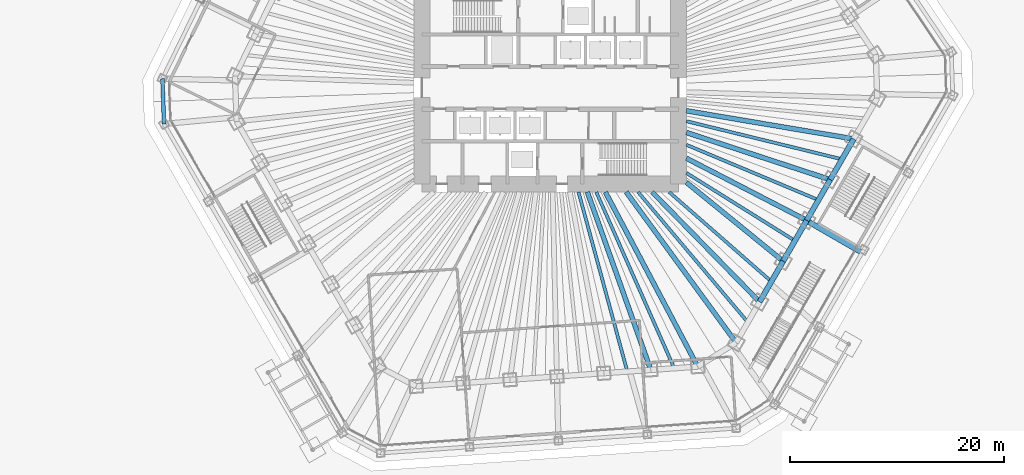
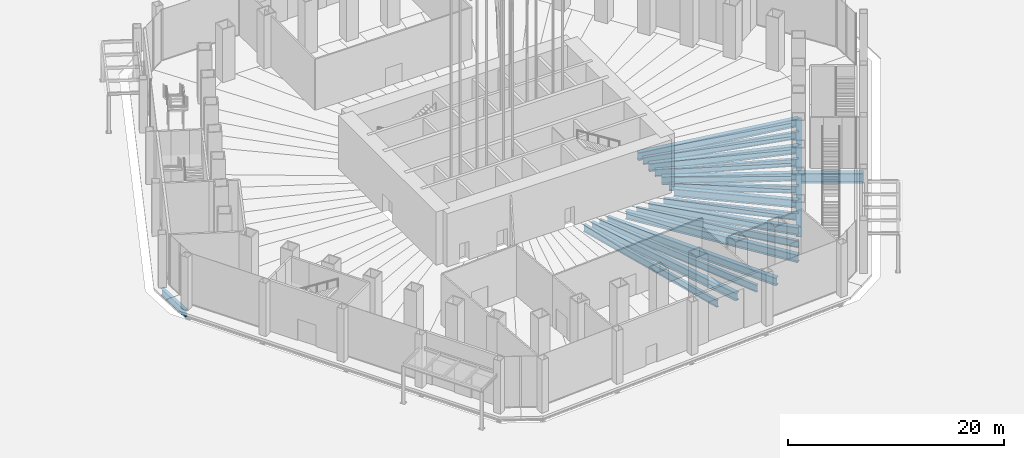
# One storey, part 16 of 45: 21 beams.
"""IFC4 building model written with IfcOpenShell, lengths in metres."""

from ifc_helpers import new_model, si_unit, direction, frame, origin, origin_2d, place, context, subcontext, project, spatial, i_section, extrude, material, material_profile, profile_set, type_object, element, save


model = new_model("IFC4")

# Units and contexts
model_context = context("Model", 3, precision=1e-05, world=origin(), true_north=direction((0.0, 1.0)))
body_context = subcontext(model_context, "Body", "Model", "MODEL_VIEW")
ifc_project = project(units=[si_unit("LENGTHUNIT", "METRE"), si_unit("AREAUNIT", "SQUARE_METRE"), si_unit("VOLUMEUNIT", "CUBIC_METRE"), si_unit("PLANEANGLEUNIT", "RADIAN"), si_unit("MASSUNIT", "GRAM", prefix="KILO")], contexts=[model_context])

# Site, building, storey
site_placement = place(None, origin())
site = spatial("IfcSite", under=ifc_project, at=site_placement, CompositionType="ELEMENT")
building_placement = place(site_placement, origin())
building = spatial("IfcBuilding", under=site, at=building_placement, Name="Qingtian Harvest Tower", CompositionType="ELEMENT")
storey_placement = place(building_placement, origin())
storey = spatial("IfcBuildingStorey", under=building, at=storey_placement, Name="L00", CompositionType="ELEMENT", Elevation=0.0)

# Beams
ifc_material_1 = material(Name="Steel SM570MC", Category="steel")
ifc_material_profile_1 = material_profile(ifc_material_1, i_section(OverallWidth=0.449951171875, OverallDepth=0.89990234375, WebThickness=0.02197265625, FlangeThickness=0.044921875, at=origin_2d()), Name="H900x450x22x45")
ifc_profile_set_1 = profile_set([ifc_material_profile_1], Name="Steel SM570MC")
beam_type_1 = type_object("IfcBeamType", Name="Floor beam FB5 H900x450x22x45", PredefinedType="BEAM", material=ifc_profile_set_1)
beam_1_placement = place(storey_placement, frame((28.416015625, -4.78173828125, -0.699951171875), z_axis=(-0.986135195489, 0.16594389479, 0.0), x_axis=(-0.16594389479, -0.986135195489, 0.0)))
element("IfcBeam", 1, at=beam_1_placement, inside=storey, type_object=beam_type_1, Name="Floor beam FB5 SE1", PredefinedType="BEAM", context=body_context, shape_type="SweptSolid", body=[
    extrude(i_section(OverallWidth=0.449951171875, OverallDepth=0.89990234375, WebThickness=0.02197265625, FlangeThickness=0.044921875, at=origin_2d()), origin(), (0.0, 0.0, 1.0), 15.88623046875),
])
beam_2_placement = place(storey_placement, frame((26.2138671875, -8.596435546875, -0.699951171875), z_axis=(-0.950210724421, 0.311608053803, 0.0), x_axis=(-0.311608053803, -0.950210724421, 0.0)))
element("IfcBeam", 2, at=beam_2_placement, inside=storey, type_object=beam_type_1, Name="Floor beam FB5 SE2", PredefinedType="BEAM", context=body_context, shape_type="SweptSolid", body=[
    extrude(i_section(OverallWidth=0.449951171875, OverallDepth=0.89990234375, WebThickness=0.02197265625, FlangeThickness=0.044921875, at=origin_2d()), origin(), (0.0, 0.0, 1.0), 14.16943359375),
])
beam_3_placement = place(storey_placement, frame((24.011474609375, -12.410888671875, -0.699951171875), z_axis=(-0.888349581519, 0.45916774823, 0.0), x_axis=(-0.45916774823, -0.888349581519, 0.0)))
element("IfcBeam", 3, at=beam_3_placement, inside=storey, type_object=beam_type_1, Name="Floor beam FB5 SE3", PredefinedType="BEAM", context=body_context, shape_type="SweptSolid", body=[
    extrude(i_section(OverallWidth=0.449951171875, OverallDepth=0.89990234375, WebThickness=0.02197265625, FlangeThickness=0.044921875, at=origin_2d()), origin(), (0.0, 0.0, 1.0), 12.6767578125),
])
beam_4_placement = place(storey_placement, frame((21.809326171875, -16.225341796875, -0.699951171875), z_axis=(-0.775504415669, 0.631342142802, 0.0), x_axis=(-0.631342142802, -0.775504415669, 0.0)))
element("IfcBeam", 4, at=beam_4_placement, inside=storey, type_object=beam_type_1, Name="Floor beam FB5 SE4", PredefinedType="BEAM", context=body_context, shape_type="SweptSolid", body=[
    extrude(i_section(OverallWidth=0.449951171875, OverallDepth=0.89990234375, WebThickness=0.02197265625, FlangeThickness=0.044921875, at=origin_2d()), origin(), (0.0, 0.0, 1.0), 11.681884765625),
])
beam_5_placement = place(storey_placement, frame((19.60693359375, -20.039794921875, -0.699951171875), z_axis=(-0.699348221539, 0.714781130858, 0.0), x_axis=(-0.714781130858, -0.699348221539, 0.0)))
element("IfcBeam", 5, at=beam_5_placement, inside=storey, type_object=beam_type_1, Name="Floor beam FB5 SE5", PredefinedType="BEAM", context=body_context, shape_type="SweptSolid", body=[
    extrude(i_section(OverallWidth=0.449951171875, OverallDepth=0.89990234375, WebThickness=0.02197265625, FlangeThickness=0.044921875, at=origin_2d()), origin(), (0.0, 0.0, 1.0), 14.395751953125),
])
beam_6_placement = place(storey_placement, frame((17.404541015625, -23.854248046875, -0.699951171875), z_axis=(-0.58941234871, 0.807832336062, 0.0), x_axis=(-0.807832336062, -0.58941234871, 0.0)))
element("IfcBeam", 6, at=beam_6_placement, inside=storey, type_object=beam_type_1, Name="Floor beam FB5 SE6", PredefinedType="BEAM", context=body_context, shape_type="SweptSolid", body=[
    extrude(i_section(OverallWidth=0.449951171875, OverallDepth=0.89990234375, WebThickness=0.02197265625, FlangeThickness=0.044921875, at=origin_2d()), origin(), (0.0, 0.0, 1.0), 17.45947265625),
])
beam_7_placement = place(storey_placement, frame((13.810546875, -26.10009765625, -0.699951171875), z_axis=(-0.467705182679, 0.883884529843, 0.0), x_axis=(-0.883884529843, -0.467705182679, 0.0)))
element("IfcBeam", 7, at=beam_7_placement, inside=storey, type_object=beam_type_1, Name="Floor beam FB5 S0", PredefinedType="BEAM", context=body_context, shape_type="SweptSolid", body=[
    extrude(i_section(OverallWidth=0.449951171875, OverallDepth=0.89990234375, WebThickness=0.02197265625, FlangeThickness=0.044921875, at=origin_2d()), origin(), (0.0, 0.0, 1.0), 18.498046875),
])
beam_8_placement = place(storey_placement, frame((9.41650390625, -26.407470703125, -0.699951171875), z_axis=(-0.33586498155, 0.941910141239, 0.0), x_axis=(-0.941910141239, -0.33586498155, 0.0)))
element("IfcBeam", 8, at=beam_8_placement, inside=storey, type_object=beam_type_1, Name="Floor beam FB5 S1", PredefinedType="BEAM", context=body_context, shape_type="SweptSolid", body=[
    extrude(i_section(OverallWidth=0.449951171875, OverallDepth=0.89990234375, WebThickness=0.02197265625, FlangeThickness=0.044921875, at=origin_2d()), origin(), (0.0, 0.0, 1.0), 17.684814453125),
])
ifc_material_2 = material(Name="Steel SM570MC", Category="steel")
ifc_material_profile_2 = material_profile(ifc_material_2, i_section(OverallWidth=0.5, OverallDepth=1.10009765625, WebThickness=0.02490234375, FlangeThickness=0.050048828125, at=origin_2d()), Name="H1100x500x25x50")
ifc_profile_set_2 = profile_set([ifc_material_profile_2], Name="Steel SM570MC")
beam_type_2 = type_object("IfcBeamType", Name="Floor beam FB6 H1100x500x25x50", PredefinedType="BEAM", material=ifc_profile_set_2)
beam_9_placement = place(storey_placement, frame((29.197509765625, -15.4287109375, -0.800048828125), z_axis=(-0.866031096941, 0.499990139034, 0.0), x_axis=(-0.499990139034, -0.866031096941, 0.0)))
element("IfcBeam", 9, at=beam_9_placement, inside=storey, type_object=beam_type_2, Name="Podium floor beam FB6 SE2", PredefinedType="BEAM", context=body_context, shape_type="SweptSolid", body=[
    extrude(i_section(OverallWidth=0.5, OverallDepth=1.10009765625, WebThickness=0.02490234375, FlangeThickness=0.050048828125, at=origin_2d()), origin(), (0.0, 0.0, 1.0), 6.0),
])
ifc_material_3 = material(Name="Steel SN490B", Category="steel")
ifc_material_profile_3 = material_profile(ifc_material_3, i_section(OverallWidth=0.300048828125, OverallDepth=0.800048828125, WebThickness=0.013916015625, FlangeThickness=0.02587890625, at=origin_2d()), Name="H800x300x14x26")
ifc_profile_set_3 = profile_set([ifc_material_profile_3], Name="Steel SN490B")
beam_type_3 = type_object("IfcBeamType", Name="Floor joist J1 H800x300x14x26", PredefinedType="JOIST", material=ifc_profile_set_3)
beam_10_placement = place(storey_placement, frame((27.31494140625, -6.68896484375, -0.64990234375), z_axis=(-0.971301533706, 0.237851488583, 0.0), x_axis=(-0.237851488583, -0.971301533706, 0.0)))
element("IfcBeam", 10, at=beam_10_placement, inside=storey, type_object=beam_type_3, Name="Floor joist J1 SE1", PredefinedType="JOIST", context=body_context, shape_type="SweptSolid", body=[
    extrude(i_section(OverallWidth=0.300048828125, OverallDepth=0.800048828125, WebThickness=0.013916015625, FlangeThickness=0.02587890625, at=origin_2d()), origin(), (0.0, 0.0, 1.0), 14.995361328125),
])
beam_11_placement = place(storey_placement, frame((25.112548828125, -10.503662109375, -0.64990234375), z_axis=(-0.922550516103, 0.385876334125, 0.0), x_axis=(-0.385876334125, -0.922550516103, 0.0)))
element("IfcBeam", 11, at=beam_11_placement, inside=storey, type_object=beam_type_3, Name="Floor joist J1 SE2", PredefinedType="JOIST", context=body_context, shape_type="SweptSolid", body=[
    extrude(i_section(OverallWidth=0.300048828125, OverallDepth=0.800048828125, WebThickness=0.013916015625, FlangeThickness=0.02587890625, at=origin_2d()), origin(), (0.0, 0.0, 1.0), 13.400390625),
])
beam_12_placement = place(storey_placement, frame((22.910400390625, -14.318115234375, -0.64990234375), z_axis=(-0.848013185461, 0.52997512893, 0.0), x_axis=(-0.52997512893, -0.848013185461, 0.0)))
element("IfcBeam", 12, at=beam_12_placement, inside=storey, type_object=beam_type_3, Name="Floor joist J1 SE3", PredefinedType="JOIST", context=body_context, shape_type="SweptSolid", body=[
    extrude(i_section(OverallWidth=0.300048828125, OverallDepth=0.800048828125, WebThickness=0.013916015625, FlangeThickness=0.02587890625, at=origin_2d()), origin(), (0.0, 0.0, 1.0), 11.9814453125),
])
beam_13_placement = place(storey_placement, frame((20.7080078125, -18.132568359375, -0.64990234375), z_axis=(-0.75234369212, 0.658770801514, 0.0), x_axis=(-0.658770801514, -0.75234369212, 0.0)))
element("IfcBeam", 13, at=beam_13_placement, inside=storey, type_object=beam_type_3, Name="Floor joist J1 SE4", PredefinedType="JOIST", context=body_context, shape_type="SweptSolid", body=[
    extrude(i_section(OverallWidth=0.300048828125, OverallDepth=0.800048828125, WebThickness=0.013916015625, FlangeThickness=0.02587890625, at=origin_2d()), origin(), (0.0, 0.0, 1.0), 12.724609375),
])
beam_14_placement = place(storey_placement, frame((18.505859375, -21.947021484375, -0.64990234375), z_axis=(-0.644630398038, 0.76449437534, 0.0), x_axis=(-0.76449437534, -0.644630398038, 0.0)))
element("IfcBeam", 14, at=beam_14_placement, inside=storey, type_object=beam_type_3, Name="Floor joist J1 SE5", PredefinedType="JOIST", context=body_context, shape_type="SweptSolid", body=[
    extrude(i_section(OverallWidth=0.300048828125, OverallDepth=0.800048828125, WebThickness=0.013916015625, FlangeThickness=0.02587890625, at=origin_2d()), origin(), (0.0, 0.0, 1.0), 15.954345703125),
])
beam_15_placement = place(storey_placement, frame((11.613525390625, -26.25390625, -0.64990234375), z_axis=(-0.404539958959, 0.914520323233, 0.0), x_axis=(-0.914520323233, -0.404539958959, 0.0)))
element("IfcBeam", 15, at=beam_15_placement, inside=storey, type_object=beam_type_3, Name="Floor joist J1 S0", PredefinedType="JOIST", context=body_context, shape_type="SweptSolid", body=[
    extrude(i_section(OverallWidth=0.300048828125, OverallDepth=0.800048828125, WebThickness=0.013916015625, FlangeThickness=0.02587890625, at=origin_2d()), origin(), (0.0, 0.0, 1.0), 18.046630859375),
])
beam_16_placement = place(storey_placement, frame((7.2197265625, -26.56103515625, -0.64990234375), z_axis=(-0.262302659247, 0.964985655309, 0.0), x_axis=(-0.964985655309, -0.262302659247, 0.0)))
element("IfcBeam", 16, at=beam_16_placement, inside=storey, type_object=beam_type_3, Name="Floor joist J1 S1", PredefinedType="JOIST", context=body_context, shape_type="SweptSolid", body=[
    extrude(i_section(OverallWidth=0.300048828125, OverallDepth=0.800048828125, WebThickness=0.013916015625, FlangeThickness=0.02587890625, at=origin_2d()), origin(), (0.0, 0.0, 1.0), 17.421142578125),
])
ifc_material_4 = material(Name="Steel SN490B", Category="steel")
ifc_material_profile_4 = material_profile(ifc_material_4, i_section(OverallWidth=0.35009765625, OverallDepth=0.800048828125, WebThickness=0.01611328125, FlangeThickness=0.028076171875, at=origin_2d()), Name="H800x350x16x28")
ifc_profile_set_4 = profile_set([ifc_material_profile_4], Name="Steel SN490B")
beam_type_4 = type_object("IfcBeamType", Name="Podium beam PB1 H800x350x16x28", PredefinedType="BEAM", material=ifc_profile_set_4)
beam_17_placement = place(storey_placement, frame((-36.152099609375, -3.3828125, -0.64990234375), z_axis=(-0.034908677553, 0.999390506375, 0.0), x_axis=(-0.999390506375, -0.034908677553, 0.0)))
element("IfcBeam", 17, at=beam_17_placement, inside=storey, type_object=beam_type_4, Name="Podium edge beam PB1 SW4", PredefinedType="BEAM", context=body_context, shape_type="SweptSolid", body=[
    extrude(i_section(OverallWidth=0.35009765625, OverallDepth=0.800048828125, WebThickness=0.01611328125, FlangeThickness=0.028076171875, at=origin_2d()), origin(), (0.0, 0.0, 1.0), 4.23828125),
])
ifc_material_5 = material(Name="Steel SM570MC", Category="steel")
ifc_material_profile_5 = material_profile(ifc_material_5, i_section(OverallWidth=0.5, OverallDepth=1.199951171875, WebThickness=0.02490234375, FlangeThickness=0.050048828125, at=origin_2d()), Name="H1200x500x25x50")
ifc_profile_set_5 = profile_set([ifc_material_profile_5], Name="Steel SM570MC")
beam_type_5 = type_object("IfcBeamType", Name="Spandrel beam SB1 H1200x500x25x50", PredefinedType="SPANDREL", material=ifc_profile_set_5)
beam_18_placement = place(storey_placement, frame((28.416015625, -4.78173828125, -0.85009765625), z_axis=(-0.499954356739, -0.86605175433, 0.0), x_axis=(0.86605175433, -0.499954356739, 0.0)))
element("IfcBeam", 18, at=beam_18_placement, inside=storey, type_object=beam_type_5, Name="Spandrel SB1 SE1", PredefinedType="SPANDREL", context=body_context, shape_type="SweptSolid", body=[
    extrude(i_section(OverallWidth=0.5, OverallDepth=1.199951171875, WebThickness=0.02490234375, FlangeThickness=0.050048828125, at=origin_2d()), origin(), (0.0, 0.0, 1.0), 4.40478515625),
])
for number, where, z_axis, x_axis, name in (
    (19, (26.2138671875, -8.596435546875, -0.85009765625), (-0.50001992892, -0.866013897511, 0.0), (0.866013897511, -0.50001992892, 0.0), "Spandrel SB1 SE2"),
    (20, (24.011474609375, -12.410888671875, -0.85009765625), (-0.499978356969, -0.866037899034, 0.0), (0.866037899034, -0.499978356969, 0.0), "Spandrel SB1 SE3"),
    (21, (21.809326171875, -16.225341796875, -0.85009765625), (-0.50001992892, -0.866013897511, 0.0), (0.866013897511, -0.50001992892, 0.0), "Spandrel SB1 SE4"),
):
    element("IfcBeam", number, at=place(storey_placement, frame(where, z_axis=z_axis, x_axis=x_axis)), inside=storey, type_object=beam_type_5, Name=name, PredefinedType="SPANDREL", context=body_context, shape_type="SweptSolid", body=[
        extrude(i_section(OverallWidth=0.5, OverallDepth=1.199951171875, WebThickness=0.02490234375, FlangeThickness=0.050048828125, at=origin_2d()), origin(), (0.0, 0.0, 1.0), 4.404541015625),
    ])

save(model, "model.ifc")
